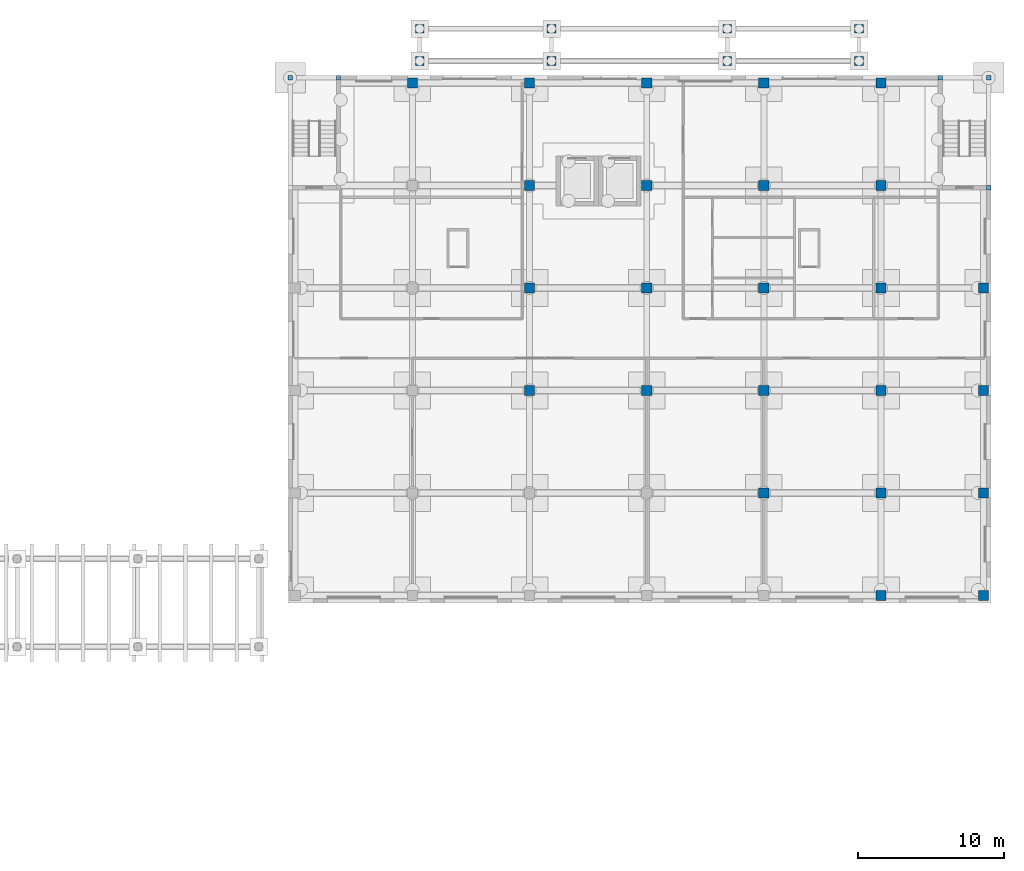
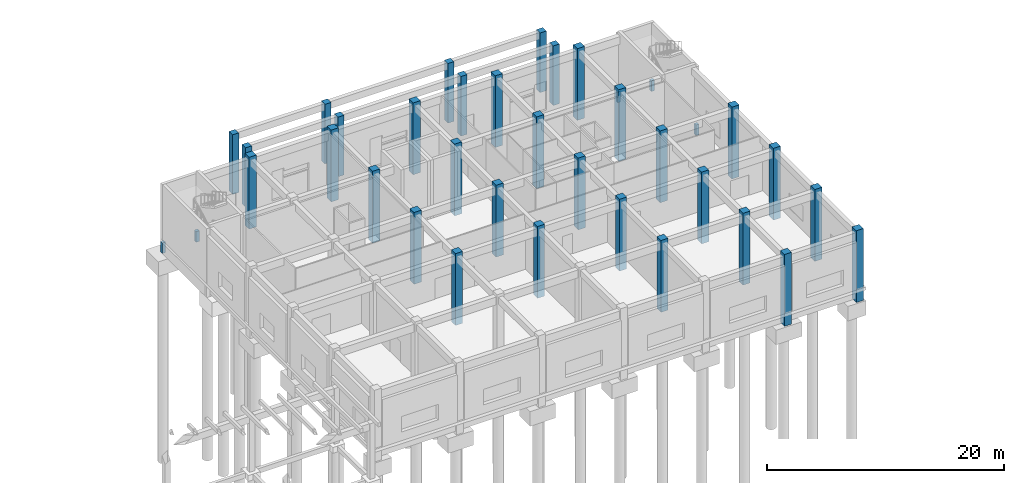
# One storey, part 10 of 51: 37 columns.
"""IFC4 building model written with IfcOpenShell, lengths in metres."""

from ifc_helpers import new_model, si_unit, direction, frame, origin, origin_2d, place, context, subcontext, project, spatial, rectangle, extrude, material, material_profile, profile_set, type_object, element, save


model = new_model("IFC4")

# Units and contexts
model_context = context("Model", 3, precision=1e-05, world=origin(), true_north=direction((0.0, 1.0)))
body_context = subcontext(model_context, "Body", "Model", "MODEL_VIEW")
ifc_project = project(units=[si_unit("LENGTHUNIT", "METRE"), si_unit("AREAUNIT", "SQUARE_METRE"), si_unit("VOLUMEUNIT", "CUBIC_METRE"), si_unit("PLANEANGLEUNIT", "RADIAN"), si_unit("MASSUNIT", "GRAM", prefix="KILO")], contexts=[model_context])

# Site, building, storey
site_placement = place(None, origin())
site = spatial("IfcSite", under=ifc_project, at=site_placement, CompositionType="ELEMENT")
building_placement = place(site_placement, origin())
building = spatial("IfcBuilding", under=site, at=building_placement, Name="Elmora Arch Market Hall", CompositionType="ELEMENT")
storey_placement = place(building_placement, origin())
storey = spatial("IfcBuildingStorey", under=building, at=storey_placement, Name="L00", CompositionType="ELEMENT", Elevation=0.0)

# Columns
ifc_material_1 = material(Name="Concrete C40/50", Category="concrete")
ifc_material_profile_1 = material_profile(ifc_material_1, rectangle(XDim=0.60009765625, YDim=0.60009765625, at=origin_2d()), Name="Canopy column 600x600")
ifc_profile_set_1 = profile_set([ifc_material_profile_1], Name="Concrete C40/50")
column_type_1 = type_object("IfcColumnType", Name="Canopy column 600x600", PredefinedType="COLUMN", material=ifc_profile_set_1)
for number, where, z_axis, x_axis, name in (
    (1, (95.0, 167.0, -0.300048828125), (0.0, 0.0, 1.0), (1.0, 0.0, 0.0), "Canopy column CAN-SCH-01 L00"),
    (2, (104.0, 167.0, -0.300048828125), (0.0, 0.0, 1.0), (1.0, 0.0, 0.0), "Canopy column CAN-SCH-02 L00"),
    (3, (116.0, 167.0, -0.300048828125), (0.0, 0.0, 1.0), (1.0, 0.0, 0.0), "Canopy column CAN-SCH-03 L00"),
    (4, (125.0, 167.0, -0.300048828125), (0.0, 0.0, 1.0), (1.0, 0.0, 0.0), "Canopy column CAN-SCH-04 L00"),
    (5, (95.0, 169.199951171875, -0.300048828125), (0.0, 0.0, 1.0), (1.0, 0.0, 0.0), "Canopy column CAN-SCH-05 L00"),
    (6, (104.0, 169.199951171875, -0.300048828125), (0.0, 0.0, 1.0), (1.0, 0.0, 0.0), "Canopy column CAN-SCH-06 L00"),
    (7, (116.0, 169.199951171875, -0.300048828125), (0.0, 0.0, 1.0), (1.0, 0.0, 0.0), "Canopy column CAN-SCH-07 L00"),
    (8, (125.0, 169.199951171875, -0.300048828125), (0.0, 0.0, 1.0), (1.0, 0.0, 0.0), "Canopy column CAN-SCH-08 L00"),
):
    element("IfcColumn", number, at=place(storey_placement, frame(where, z_axis=z_axis, x_axis=x_axis)), inside=storey, type_object=column_type_1, Name=name, PredefinedType="COLUMN", context=body_context, shape_type="SweptSolid", body=[
        extrude(rectangle(XDim=0.60009765625, YDim=0.60009765625, at=origin_2d()), origin(), (0.0, 0.0, 1.0), 6.150146484375),
    ])
ifc_material_2 = material(Name="Concrete C40/50", Category="concrete")
ifc_material_profile_2 = material_profile(ifc_material_2, rectangle(XDim=0.699951171875, YDim=0.699951171875, at=origin_2d()), Name="School column 700x700")
ifc_profile_set_2 = profile_set([ifc_material_profile_2], Name="Concrete C40/50")
column_type_2 = type_object("IfcColumnType", Name="School column 700x700", PredefinedType="COLUMN", material=ifc_profile_set_2)
for number, where, z_axis, x_axis, name in (
    (9, (94.5, 165.5, -1.39990234375), (0.0, 0.0, 1.0), (1.0, 0.0, 0.0), "School column SC26 L00"),
    (10, (102.5, 144.5, -1.39990234375), (0.0, 0.0, 1.0), (1.0, 0.0, 0.0), "School column SC33 L00"),
    (11, (102.5, 151.5, -1.39990234375), (0.0, 0.0, 1.0), (1.0, 0.0, 0.0), "School column SC34 L00"),
    (12, (102.5, 158.5, -1.39990234375), (0.0, 0.0, 1.0), (1.0, 0.0, 0.0), "School column SC35 L00"),
    (13, (102.5, 165.5, -1.39990234375), (0.0, 0.0, 1.0), (1.0, 0.0, 0.0), "School column SC36 L00"),
    (14, (110.5, 144.5, -1.39990234375), (0.0, 0.0, 1.0), (1.0, 0.0, 0.0), "School column SC43 L00"),
    (15, (110.5, 151.5, -1.39990234375), (0.0, 0.0, 1.0), (1.0, 0.0, 0.0), "School column SC44 L00"),
    (16, (110.5, 158.5, -1.39990234375), (0.0, 0.0, 1.0), (1.0, 0.0, 0.0), "School column SC45 L00"),
    (17, (110.5, 165.5, -1.39990234375), (0.0, 0.0, 1.0), (1.0, 0.0, 0.0), "School column SC46 L00"),
    (18, (118.5, 137.5, -1.39990234375), (0.0, 0.0, 1.0), (1.0, 0.0, 0.0), "School column SC52 L00"),
    (19, (118.5, 144.5, -1.39990234375), (0.0, 0.0, 1.0), (1.0, 0.0, 0.0), "School column SC53 L00"),
    (20, (118.5, 151.5, -1.39990234375), (0.0, 0.0, 1.0), (1.0, 0.0, 0.0), "School column SC54 L00"),
    (21, (118.5, 158.5, -1.39990234375), (0.0, 0.0, 1.0), (1.0, 0.0, 0.0), "School column SC55 L00"),
    (22, (118.5, 165.5, -1.39990234375), (0.0, 0.0, 1.0), (1.0, 0.0, 0.0), "School column SC56 L00"),
    (23, (126.5, 130.5, -1.39990234375), (0.0, 0.0, 1.0), (1.0, 0.0, 0.0), "School column SC61 L00"),
    (24, (126.5, 137.5, -1.39990234375), (0.0, 0.0, 1.0), (1.0, 0.0, 0.0), "School column SC62 L00"),
    (25, (126.5, 144.5, -1.39990234375), (0.0, 0.0, 1.0), (1.0, 0.0, 0.0), "School column SC63 L00"),
    (26, (126.5, 151.5, -1.39990234375), (0.0, 0.0, 1.0), (1.0, 0.0, 0.0), "School column SC64 L00"),
    (27, (126.5, 158.5, -1.39990234375), (0.0, 0.0, 1.0), (1.0, 0.0, 0.0), "School column SC65 L00"),
    (28, (126.5, 165.5, -1.39990234375), (0.0, 0.0, 1.0), (1.0, 0.0, 0.0), "School column SC66 L00"),
    (29, (133.5, 130.5, -1.39990234375), (0.0, 0.0, 1.0), (1.0, 0.0, 0.0), "School column SC71 L00"),
    (30, (133.5, 137.5, -1.39990234375), (0.0, 0.0, 1.0), (1.0, 0.0, 0.0), "School column SC72 L00"),
    (31, (133.5, 144.5, -1.39990234375), (0.0, 0.0, 1.0), (1.0, 0.0, 0.0), "School column SC73 L00"),
    (32, (133.5, 151.5, -1.39990234375), (0.0, 0.0, 1.0), (1.0, 0.0, 0.0), "School column SC74 L00"),
):
    element("IfcColumn", number, at=place(storey_placement, frame(where, z_axis=z_axis, x_axis=x_axis)), inside=storey, type_object=column_type_2, Name=name, PredefinedType="COLUMN", context=body_context, shape_type="SweptSolid", body=[
        extrude(rectangle(XDim=0.699951171875, YDim=0.699951171875, at=origin_2d()), origin(), (0.0, 0.0, 1.0), 7.39990234375),
    ])
ifc_material_3 = material(Name="Concrete C40/50", Category="concrete")
ifc_material_profile_3 = material_profile(ifc_material_3, rectangle(XDim=0.300048828125, YDim=0.300048828125, at=origin_2d()), Name="Stair corner column 300x300")
ifc_profile_set_3 = profile_set([ifc_material_profile_3], Name="Concrete C40/50")
column_type_3 = type_object("IfcColumnType", Name="Stair corner column 300x300", PredefinedType="COLUMN", material=ifc_profile_set_3)
for number, where, z_axis, x_axis, name in (
    (33, (86.14990234375, 165.85009765625, -1.39990234375), (0.0, 0.0, 1.0), (1.0, 0.0, 0.0), "Stair corner column SCK-SCW-2 L00"),
    (34, (89.449951171875, 165.85009765625, -1.39990234375), (0.0, 0.0, 1.0), (1.0, 0.0, 0.0), "Stair corner column SCK-SCW-3 L00"),
    (35, (133.85009765625, 158.35009765625, -1.39990234375), (0.0, 0.0, 1.0), (1.0, 0.0, 0.0), "Stair corner column SCK-SCE-1 L00"),
    (36, (133.85009765625, 165.85009765625, -1.39990234375), (0.0, 0.0, 1.0), (1.0, 0.0, 0.0), "Stair corner column SCK-SCE-2 L00"),
    (37, (130.550048828125, 165.85009765625, -1.39990234375), (0.0, 0.0, 1.0), (1.0, 0.0, 0.0), "Stair corner column SCK-SCE-3 L00"),
):
    element("IfcColumn", number, at=place(storey_placement, frame(where, z_axis=z_axis, x_axis=x_axis)), inside=storey, type_object=column_type_3, Name=name, PredefinedType="COLUMN", context=body_context, shape_type="SweptSolid", body=[
        extrude(rectangle(XDim=0.300048828125, YDim=0.300048828125, at=origin_2d()), origin(), (0.0, 0.0, 1.0), 1.099853515625),
    ])

save(model, "model.ifc")
